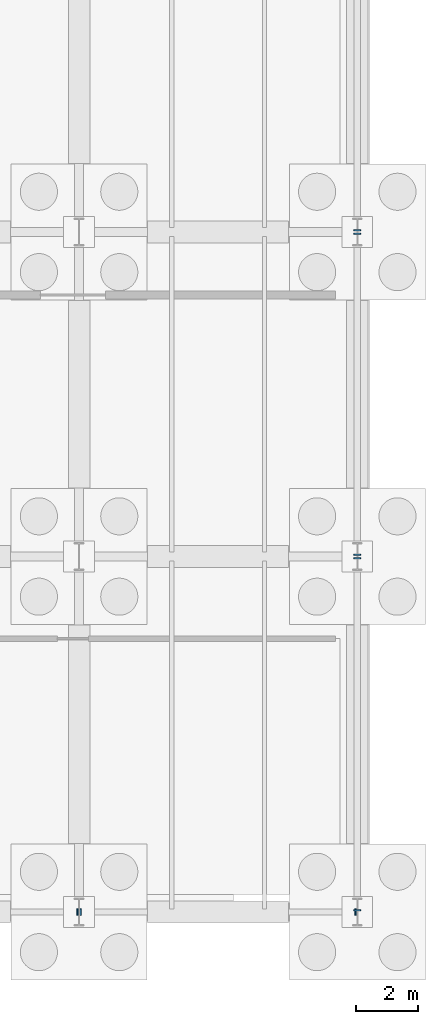
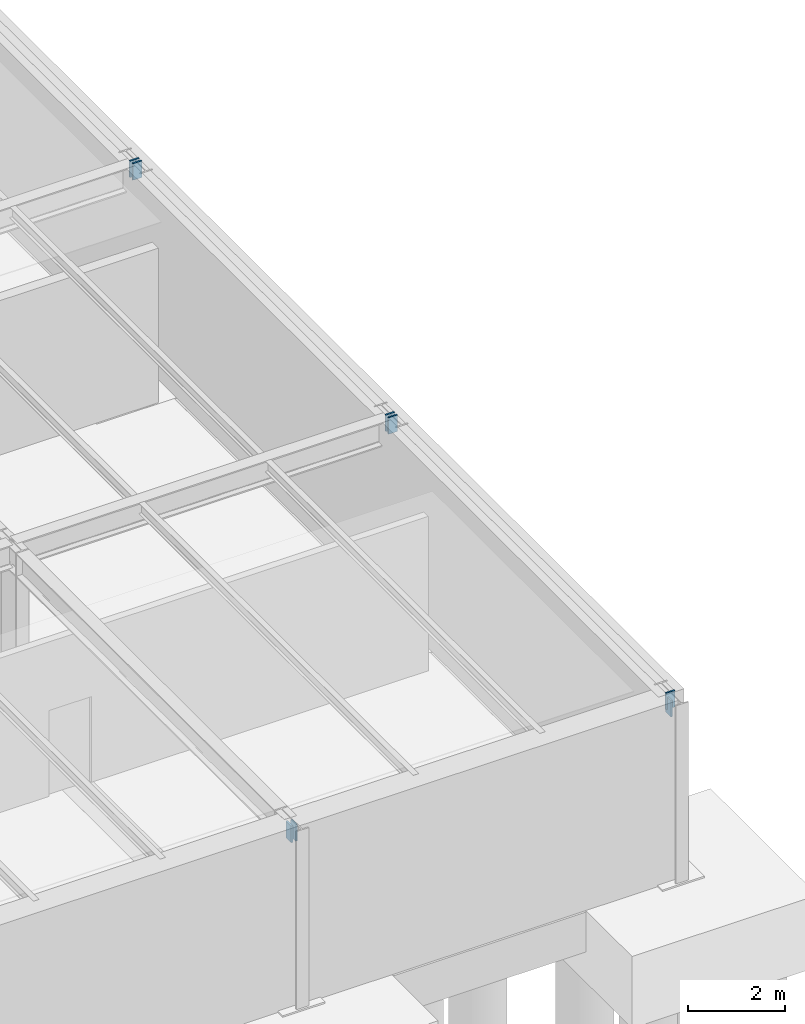
# One storey, part 16 of 19: 8 discrete accessories.
"""IFC4 building model written with IfcOpenShell, lengths in metres."""

from ifc_helpers import new_model, si_unit, direction, frame, origin, origin_2d, place, context, subcontext, project, spatial, rectangle, extrude, material, element, save


model = new_model("IFC4")

# Units and contexts
model_context = context("Model", 3, precision=1e-05, world=origin(), true_north=direction((0.0, 1.0)))
body_context = subcontext(model_context, "Body", "Model", "MODEL_VIEW")
ifc_project = project(units=[si_unit("LENGTHUNIT", "METRE"), si_unit("AREAUNIT", "SQUARE_METRE"), si_unit("VOLUMEUNIT", "CUBIC_METRE"), si_unit("PLANEANGLEUNIT", "RADIAN"), si_unit("MASSUNIT", "GRAM", prefix="KILO")], contexts=[model_context])

# Site, building, storey
site_placement = place(None, origin())
site = spatial("IfcSite", under=ifc_project, at=site_placement, CompositionType="ELEMENT")
building_placement = place(site_placement, origin())
building = spatial("IfcBuilding", under=site, at=building_placement, Name="Marlcrest Central Station", CompositionType="ELEMENT")
storey_placement = place(building_placement, frame((0.0, 0.0, -4.800048828125)))
storey = spatial("IfcBuildingStorey", under=building, at=storey_placement, Name="B1", CompositionType="ELEMENT", Elevation=-4.800048828125)

# Discrete accessories
ifc_material = material(Name="Steel S355", Category="steel")
for number, where, z_axis, x_axis, name in (
    (1, (62.925048828125, 99.0, 4.195068359375), (1.0, 0.0, 0.0), (0.0, 1.0, 0.0), "endcap-bm-SP-01-B1-00007-e"),
    (2, (63.03515625, 99.0, 4.195068359375), (1.0, 0.0, 0.0), (0.0, 1.0, 0.0), "endcap-bm-SP-01-B1-00008-s"),
    (3, (71.925048828125, 99.0, 4.195068359375), (1.0, 0.0, 0.0), (0.0, 1.0, 0.0), "endcap-bm-SP-01-B1-00008-e"),
    (4, (72.0, 99.03515625, 4.300048828125), (0.0, 1.0, 0.0), (-1.0, 0.0, 0.0), "endcap-bm-SP-01-B1-00057-s"),
    (5, (72.0, 110.425048828125, 4.300048828125), (0.0, 1.0, 0.0), (-1.0, 0.0, 0.0), "endcap-bm-SP-01-B1-00057-e"),
    (6, (72.0, 110.53515625, 4.300048828125), (0.0, 1.0, 0.0), (-1.0, 0.0, 0.0), "endcap-bm-SP-01-B1-00058-s"),
    (7, (72.0, 120.925048828125, 4.300048828125), (0.0, 1.0, 0.0), (-1.0, 0.0, 0.0), "endcap-bm-SP-01-B1-00058-e"),
    (8, (72.0, 121.03515625, 4.300048828125), (0.0, 1.0, 0.0), (-1.0, 0.0, 0.0), "endcap-bm-SP-01-B1-00059-s"),
):
    element("IfcDiscreteAccessory", number, at=place(storey_placement, frame(where, z_axis=z_axis, x_axis=x_axis)), inside=storey, material=ifc_material, Name=name, ObjectType="END_CAP_PLATE", PredefinedType="BRACKET", context=body_context, shape_type="SweptSolid", body=[
        extrude(rectangle(XDim=0.216064453125, YDim=0.416015625, at=origin_2d()), origin(), (0.0, 0.0, 1.0), 0.0400390625),
    ])

save(model, "model.ifc")
